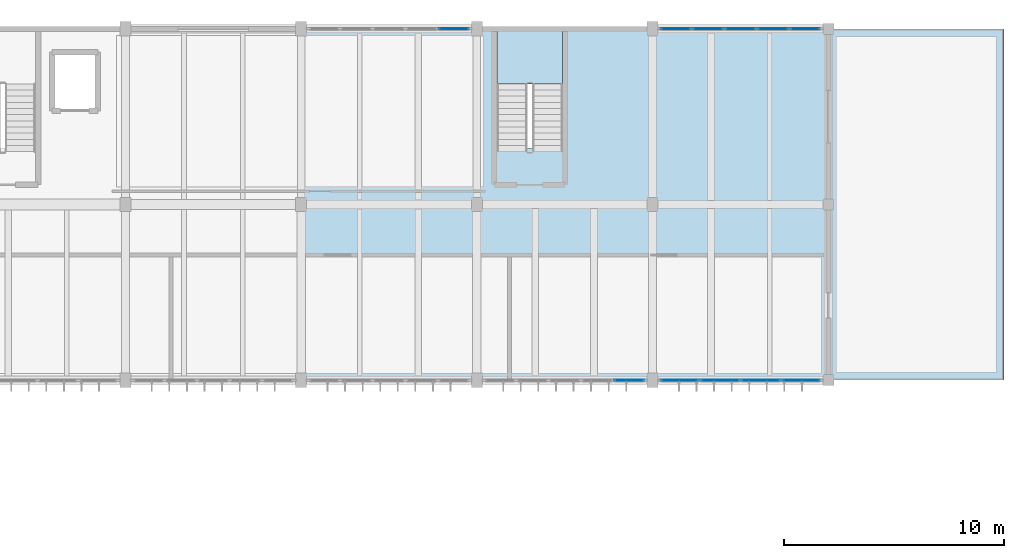
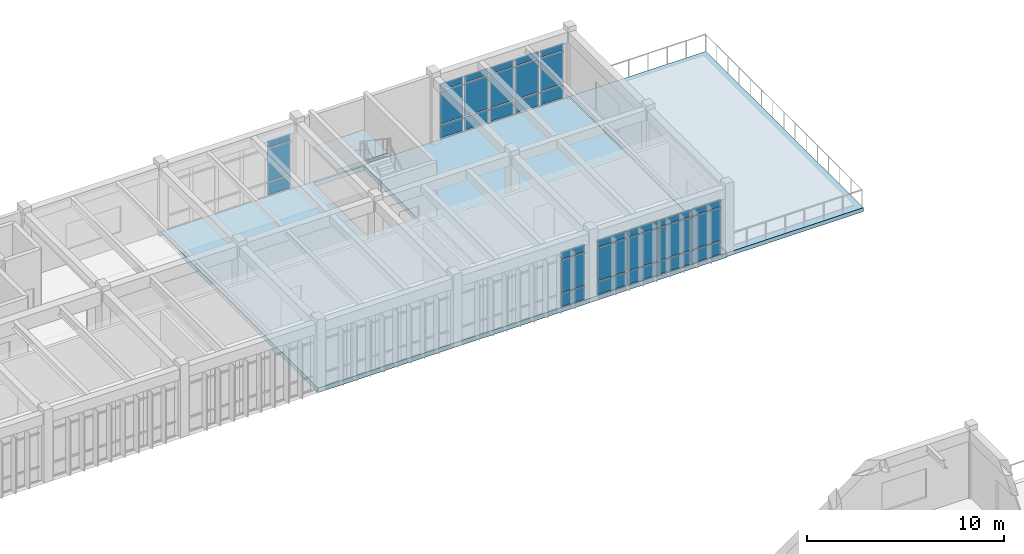
# One storey, part 41 of 72: 33 plates, 3 slabs, 5 elements without a shape of their own.
"""IFC4 building model written with IfcOpenShell, lengths in metres."""

from ifc_helpers import new_model, si_unit, direction, frame, origin, origin_2d, place, context, subcontext, project, spatial, polyline, rectangle, outline, extrude, material, layer, layer_set, type_object, element, aggregate, save


model = new_model("IFC4")

# Units and contexts
model_context = context("Model", 3, precision=1e-05, world=origin(), true_north=direction((0.0, 1.0)))
body_context = subcontext(model_context, "Body", "Model", "MODEL_VIEW")
ifc_project = project(units=[si_unit("LENGTHUNIT", "METRE"), si_unit("AREAUNIT", "SQUARE_METRE"), si_unit("VOLUMEUNIT", "CUBIC_METRE"), si_unit("PLANEANGLEUNIT", "RADIAN"), si_unit("MASSUNIT", "GRAM", prefix="KILO")], contexts=[model_context])

# Site, building, storey
site_placement = place(None, origin())
site = spatial("IfcSite", under=ifc_project, at=site_placement, CompositionType="ELEMENT")
building_placement = place(site_placement, origin())
building = spatial("IfcBuilding", under=site, at=building_placement, Name="Tlaxcora Railside Police Headquarters", CompositionType="ELEMENT")
storey_placement = place(building_placement, frame((0.0, 0.0, 13.5)))
storey = spatial("IfcBuildingStorey", under=building, at=storey_placement, Name="L03", CompositionType="ELEMENT", Elevation=13.5)

# Curtain wall, plates
ifc_material_1 = material(Name="Thermally broken low-E insulated glazing", Category="glass")
curtain_wall_type_1 = type_object("IfcCurtainWallType", Name="Unitised Curtain Wall Assembly CW-23", PredefinedType="NOTDEFINED", material=ifc_material_1)
curtain_wall_1_placement = place(storey_placement, origin())
curtain_wall_1 = element("IfcCurtainWall", 1, at=curtain_wall_1_placement, inside=storey, type_object=curtain_wall_type_1, Name="V6 L03 curtain wall 168", PredefinedType="NOTDEFINED")
ifc_layer_1 = layer(ifc_material_1, 0.0400390625, Name="Thermally broken low-E insulated glazing")
ifc_layer_set_1 = layer_set([ifc_layer_1], Name="Thermally broken low-E insulated glazing")
plate_type_1 = type_object("IfcPlateType", Name="Curtain Wall Infill Panel CW-17", PredefinedType="CURTAIN_PANEL", material=ifc_layer_set_1)
plate_1_placement = place(storey_placement, frame((149.739990234375, 92.800048828125, 0.080078125), z_axis=(0.0, 0.0, 1.0), x_axis=(-1.0, 0.0, 0.0)))
plate_1 = element("IfcPlate", 2, at=plate_1_placement, type_object=plate_type_1, Name="CW panel 1.1", PredefinedType="CURTAIN_PANEL", context=body_context, shape_type="SweptSolid", body=[
    extrude(rectangle(XDim=1.360107421875, YDim=0.0400390625, at=origin_2d()), origin(), (0.0, 0.0, 1.0), 0.780029296875),
])
plate_2_placement = place(storey_placement, frame((149.739990234375, 92.800048828125, 0.93994140625), z_axis=(0.0, 0.0, 1.0), x_axis=(-1.0, 0.0, 0.0)))
plate_2 = element("IfcPlate", 3, at=plate_2_placement, type_object=plate_type_1, Name="CW panel 1.2", PredefinedType="CURTAIN_PANEL", context=body_context, shape_type="SweptSolid", body=[
    extrude(rectangle(XDim=1.360107421875, YDim=0.0400390625, at=origin_2d()), origin(), (0.0, 0.0, 1.0), 2.010009765625),
])
plate_3_placement = place(storey_placement, frame((149.739990234375, 92.800048828125, 3.0302734375), z_axis=(0.0, 0.0, 1.0), x_axis=(-1.0, 0.0, 0.0)))
plate_3 = element("IfcPlate", 4, at=plate_3_placement, type_object=plate_type_1, Name="CW panel 1.3", PredefinedType="CURTAIN_PANEL", context=body_context, shape_type="SweptSolid", body=[
    extrude(rectangle(XDim=1.360107421875, YDim=0.0400390625, at=origin_2d()), origin(), (0.0, 0.0, 1.0), 0.409912109375),
])
plate_4_placement = place(storey_placement, frame((148.280029296875, 92.800048828125, 0.080078125), z_axis=(0.0, 0.0, 1.0), x_axis=(-1.0, 0.0, 0.0)))
plate_4 = element("IfcPlate", 5, at=plate_4_placement, type_object=plate_type_1, Name="CW panel 2.1", PredefinedType="CURTAIN_PANEL", context=body_context, shape_type="SweptSolid", body=[
    extrude(rectangle(XDim=1.39990234375, YDim=0.0400390625, at=origin_2d()), origin(), (0.0, 0.0, 1.0), 0.780029296875),
])
plate_5_placement = place(storey_placement, frame((148.280029296875, 92.800048828125, 0.93994140625), z_axis=(0.0, 0.0, 1.0), x_axis=(-1.0, 0.0, 0.0)))
plate_5 = element("IfcPlate", 6, at=plate_5_placement, type_object=plate_type_1, Name="CW panel 2.2", PredefinedType="CURTAIN_PANEL", context=body_context, shape_type="SweptSolid", body=[
    extrude(rectangle(XDim=1.39990234375, YDim=0.0400390625, at=origin_2d()), origin(), (0.0, 0.0, 1.0), 2.010009765625),
])
plate_6_placement = place(storey_placement, frame((148.280029296875, 92.800048828125, 3.0302734375), z_axis=(0.0, 0.0, 1.0), x_axis=(-1.0, 0.0, 0.0)))
plate_6 = element("IfcPlate", 7, at=plate_6_placement, type_object=plate_type_1, Name="CW panel 2.3", PredefinedType="CURTAIN_PANEL", context=body_context, shape_type="SweptSolid", body=[
    extrude(rectangle(XDim=1.39990234375, YDim=0.0400390625, at=origin_2d()), origin(), (0.0, 0.0, 1.0), 0.409912109375),
])
plate_7_placement = place(storey_placement, frame((146.800048828125, 92.800048828125, 0.080078125), z_axis=(0.0, 0.0, 1.0), x_axis=(-1.0, 0.0, 0.0)))
plate_7 = element("IfcPlate", 8, at=plate_7_placement, type_object=plate_type_1, Name="CW panel 3.1", PredefinedType="CURTAIN_PANEL", context=body_context, shape_type="SweptSolid", body=[
    extrude(rectangle(XDim=1.39990234375, YDim=0.0400390625, at=origin_2d()), origin(), (0.0, 0.0, 1.0), 0.780029296875),
])
plate_8_placement = place(storey_placement, frame((146.800048828125, 92.800048828125, 0.93994140625), z_axis=(0.0, 0.0, 1.0), x_axis=(-1.0, 0.0, 0.0)))
plate_8 = element("IfcPlate", 9, at=plate_8_placement, type_object=plate_type_1, Name="CW panel 3.2", PredefinedType="CURTAIN_PANEL", context=body_context, shape_type="SweptSolid", body=[
    extrude(rectangle(XDim=1.39990234375, YDim=0.0400390625, at=origin_2d()), origin(), (0.0, 0.0, 1.0), 2.010009765625),
])
plate_9_placement = place(storey_placement, frame((146.800048828125, 92.800048828125, 3.0302734375), z_axis=(0.0, 0.0, 1.0), x_axis=(-1.0, 0.0, 0.0)))
plate_9 = element("IfcPlate", 10, at=plate_9_placement, type_object=plate_type_1, Name="CW panel 3.3", PredefinedType="CURTAIN_PANEL", context=body_context, shape_type="SweptSolid", body=[
    extrude(rectangle(XDim=1.39990234375, YDim=0.0400390625, at=origin_2d()), origin(), (0.0, 0.0, 1.0), 0.409912109375),
])
plate_10_placement = place(storey_placement, frame((145.320068359375, 92.800048828125, 0.080078125), z_axis=(0.0, 0.0, 1.0), x_axis=(-1.0, 0.0, 0.0)))
plate_10 = element("IfcPlate", 11, at=plate_10_placement, type_object=plate_type_1, Name="CW panel 4.1", PredefinedType="CURTAIN_PANEL", context=body_context, shape_type="SweptSolid", body=[
    extrude(rectangle(XDim=1.39990234375, YDim=0.0400390625, at=origin_2d()), origin(), (0.0, 0.0, 1.0), 0.780029296875),
])
plate_11_placement = place(storey_placement, frame((145.320068359375, 92.800048828125, 0.93994140625), z_axis=(0.0, 0.0, 1.0), x_axis=(-1.0, 0.0, 0.0)))
plate_11 = element("IfcPlate", 12, at=plate_11_placement, type_object=plate_type_1, Name="CW panel 4.2", PredefinedType="CURTAIN_PANEL", context=body_context, shape_type="SweptSolid", body=[
    extrude(rectangle(XDim=1.39990234375, YDim=0.0400390625, at=origin_2d()), origin(), (0.0, 0.0, 1.0), 2.010009765625),
])
plate_12_placement = place(storey_placement, frame((145.320068359375, 92.800048828125, 3.0302734375), z_axis=(0.0, 0.0, 1.0), x_axis=(-1.0, 0.0, 0.0)))
plate_12 = element("IfcPlate", 13, at=plate_12_placement, type_object=plate_type_1, Name="CW panel 4.3", PredefinedType="CURTAIN_PANEL", context=body_context, shape_type="SweptSolid", body=[
    extrude(rectangle(XDim=1.39990234375, YDim=0.0400390625, at=origin_2d()), origin(), (0.0, 0.0, 1.0), 0.409912109375),
])
plate_13_placement = place(storey_placement, frame((143.860107421875, 92.800048828125, 0.080078125), z_axis=(0.0, 0.0, 1.0), x_axis=(-1.0, 0.0, 0.0)))
plate_13 = element("IfcPlate", 14, at=plate_13_placement, type_object=plate_type_1, Name="CW panel 5.1", PredefinedType="CURTAIN_PANEL", context=body_context, shape_type="SweptSolid", body=[
    extrude(rectangle(XDim=1.360107421875, YDim=0.0400390625, at=origin_2d()), origin(), (0.0, 0.0, 1.0), 0.780029296875),
])
plate_14_placement = place(storey_placement, frame((143.860107421875, 92.800048828125, 0.93994140625), z_axis=(0.0, 0.0, 1.0), x_axis=(-1.0, 0.0, 0.0)))
plate_14 = element("IfcPlate", 15, at=plate_14_placement, type_object=plate_type_1, Name="CW panel 5.2", PredefinedType="CURTAIN_PANEL", context=body_context, shape_type="SweptSolid", body=[
    extrude(rectangle(XDim=1.360107421875, YDim=0.0400390625, at=origin_2d()), origin(), (0.0, 0.0, 1.0), 2.010009765625),
])
plate_15_placement = place(storey_placement, frame((143.860107421875, 92.800048828125, 3.0302734375), z_axis=(0.0, 0.0, 1.0), x_axis=(-1.0, 0.0, 0.0)))
plate_15 = element("IfcPlate", 16, at=plate_15_placement, type_object=plate_type_1, Name="CW panel 5.3", PredefinedType="CURTAIN_PANEL", context=body_context, shape_type="SweptSolid", body=[
    extrude(rectangle(XDim=1.360107421875, YDim=0.0400390625, at=origin_2d()), origin(), (0.0, 0.0, 1.0), 0.409912109375),
])
aggregate(curtain_wall_1, [plate_1, plate_2, plate_3, plate_4, plate_5, plate_6, plate_7, plate_8, plate_9, plate_10, plate_11, plate_12, plate_13, plate_14, plate_15])

curtain_wall_type_2 = type_object("IfcCurtainWallType", Name="Unitised Curtain Wall Assembly CW-15", PredefinedType="NOTDEFINED", material=ifc_material_1)
curtain_wall_2_placement = place(storey_placement, origin())
curtain_wall_2 = element("IfcCurtainWall", 17, at=curtain_wall_2_placement, inside=storey, type_object=curtain_wall_type_2, Name="V6 L03 curtain wall 166", PredefinedType="NOTDEFINED")
ifc_layer_2 = layer(ifc_material_1, 0.031982421875, Name="Thermally broken low-E insulated glazing")
ifc_layer_set_2 = layer_set([ifc_layer_2], Name="Thermally broken low-E insulated glazing")
plate_type_2 = type_object("IfcPlateType", Name="Curtain Wall Infill Panel CW-41", PredefinedType="CURTAIN_PANEL", material=ifc_layer_set_2)
plate_16_placement = place(storey_placement, frame((141.7412109375, 76.800048828125, 0.074951171875), z_axis=(0.0, 0.0, 1.0), x_axis=(1.0, 0.0, 0.0)))
plate_16 = element("IfcPlate", 18, at=plate_16_placement, type_object=plate_type_2, Name="CW panel 5.1", PredefinedType="CURTAIN_PANEL", context=body_context, shape_type="SweptSolid", body=[
    extrude(rectangle(XDim=1.367431640625, YDim=0.031982421875, at=origin_2d()), origin(), (0.0, 0.0, 1.0), 0.78759765625),
])
plate_17_placement = place(storey_placement, frame((141.7412109375, 76.800048828125, 0.9375), z_axis=(0.0, 0.0, 1.0), x_axis=(1.0, 0.0, 0.0)))
plate_17 = element("IfcPlate", 19, at=plate_17_placement, type_object=plate_type_2, Name="CW panel 5.2", PredefinedType="CURTAIN_PANEL", context=body_context, shape_type="SweptSolid", body=[
    extrude(rectangle(XDim=1.367431640625, YDim=0.031982421875, at=origin_2d()), origin(), (0.0, 0.0, 1.0), 2.014892578125),
])
plate_18_placement = place(storey_placement, frame((141.7412109375, 76.800048828125, 3.027587890625), z_axis=(0.0, 0.0, 1.0), x_axis=(1.0, 0.0, 0.0)))
plate_18 = element("IfcPlate", 20, at=plate_18_placement, type_object=plate_type_2, Name="CW panel 5.3", PredefinedType="CURTAIN_PANEL", context=body_context, shape_type="SweptSolid", body=[
    extrude(rectangle(XDim=1.367431640625, YDim=0.031982421875, at=origin_2d()), origin(), (0.0, 0.0, 1.0), 0.41748046875),
])
aggregate(curtain_wall_2, [plate_16, plate_17, plate_18])

curtain_wall_type_3 = type_object("IfcCurtainWallType", Name="Unitised Curtain Wall Assembly CW-83", PredefinedType="NOTDEFINED", material=ifc_material_1)
curtain_wall_3_placement = place(storey_placement, origin())
curtain_wall_3 = element("IfcCurtainWall", 21, at=curtain_wall_3_placement, inside=storey, type_object=curtain_wall_type_3, Name="V6 L03 curtain wall 167", PredefinedType="NOTDEFINED")
ifc_layer_3 = layer(ifc_material_1, 0.035888671875, Name="Thermally broken low-E insulated glazing")
ifc_layer_set_3 = layer_set([ifc_layer_3], Name="Thermally broken low-E insulated glazing")
plate_type_3 = type_object("IfcPlateType", Name="Curtain Wall Infill Panel CW-72", PredefinedType="CURTAIN_PANEL", material=ifc_layer_set_3)
plate_19_placement = place(storey_placement, frame((144.044921875, 76.800048828125, 0.080078125), z_axis=(0.0, 0.0, 1.0), x_axis=(1.0, 0.0, 0.0)))
plate_19 = element("IfcPlate", 22, at=plate_19_placement, type_object=plate_type_3, Name="CW panel 1.1", PredefinedType="CURTAIN_PANEL", context=body_context, shape_type="SweptSolid", body=[
    extrude(rectangle(XDim=1.72998046875, YDim=0.035888671875, at=origin_2d()), origin(), (0.0, 0.0, 1.0), 0.780029296875),
])
plate_20_placement = place(storey_placement, frame((144.044921875, 76.800048828125, 0.93994140625), z_axis=(0.0, 0.0, 1.0), x_axis=(1.0, 0.0, 0.0)))
plate_20 = element("IfcPlate", 23, at=plate_20_placement, type_object=plate_type_3, Name="CW panel 1.2", PredefinedType="CURTAIN_PANEL", context=body_context, shape_type="SweptSolid", body=[
    extrude(rectangle(XDim=1.72998046875, YDim=0.035888671875, at=origin_2d()), origin(), (0.0, 0.0, 1.0), 2.010009765625),
])
plate_21_placement = place(storey_placement, frame((144.044921875, 76.800048828125, 3.0302734375), z_axis=(0.0, 0.0, 1.0), x_axis=(1.0, 0.0, 0.0)))
plate_21 = element("IfcPlate", 24, at=plate_21_placement, type_object=plate_type_3, Name="CW panel 1.3", PredefinedType="CURTAIN_PANEL", context=body_context, shape_type="SweptSolid", body=[
    extrude(rectangle(XDim=1.72998046875, YDim=0.035888671875, at=origin_2d()), origin(), (0.0, 0.0, 1.0), 0.409912109375),
])
plate_22_placement = place(storey_placement, frame((145.875, 76.800048828125, 0.080078125), z_axis=(0.0, 0.0, 1.0), x_axis=(1.0, 0.0, 0.0)))
plate_22 = element("IfcPlate", 25, at=plate_22_placement, type_object=plate_type_3, Name="CW panel 2.1", PredefinedType="CURTAIN_PANEL", context=body_context, shape_type="SweptSolid", body=[
    extrude(rectangle(XDim=1.77001953125, YDim=0.035888671875, at=origin_2d()), origin(), (0.0, 0.0, 1.0), 0.780029296875),
])
plate_23_placement = place(storey_placement, frame((145.875, 76.800048828125, 0.93994140625), z_axis=(0.0, 0.0, 1.0), x_axis=(1.0, 0.0, 0.0)))
plate_23 = element("IfcPlate", 26, at=plate_23_placement, type_object=plate_type_3, Name="CW panel 2.2", PredefinedType="CURTAIN_PANEL", context=body_context, shape_type="SweptSolid", body=[
    extrude(rectangle(XDim=1.77001953125, YDim=0.035888671875, at=origin_2d()), origin(), (0.0, 0.0, 1.0), 2.010009765625),
])
plate_24_placement = place(storey_placement, frame((145.875, 76.800048828125, 3.0302734375), z_axis=(0.0, 0.0, 1.0), x_axis=(1.0, 0.0, 0.0)))
plate_24 = element("IfcPlate", 27, at=plate_24_placement, type_object=plate_type_3, Name="CW panel 2.3", PredefinedType="CURTAIN_PANEL", context=body_context, shape_type="SweptSolid", body=[
    extrude(rectangle(XDim=1.77001953125, YDim=0.035888671875, at=origin_2d()), origin(), (0.0, 0.0, 1.0), 0.409912109375),
])
plate_25_placement = place(storey_placement, frame((147.72509765625, 76.800048828125, 0.080078125), z_axis=(0.0, 0.0, 1.0), x_axis=(1.0, 0.0, 0.0)))
plate_25 = element("IfcPlate", 28, at=plate_25_placement, type_object=plate_type_3, Name="CW panel 3.1", PredefinedType="CURTAIN_PANEL", context=body_context, shape_type="SweptSolid", body=[
    extrude(rectangle(XDim=1.77001953125, YDim=0.035888671875, at=origin_2d()), origin(), (0.0, 0.0, 1.0), 0.780029296875),
])
plate_26_placement = place(storey_placement, frame((147.72509765625, 76.800048828125, 0.93994140625), z_axis=(0.0, 0.0, 1.0), x_axis=(1.0, 0.0, 0.0)))
plate_26 = element("IfcPlate", 29, at=plate_26_placement, type_object=plate_type_3, Name="CW panel 3.2", PredefinedType="CURTAIN_PANEL", context=body_context, shape_type="SweptSolid", body=[
    extrude(rectangle(XDim=1.77001953125, YDim=0.035888671875, at=origin_2d()), origin(), (0.0, 0.0, 1.0), 2.010009765625),
])
plate_27_placement = place(storey_placement, frame((147.72509765625, 76.800048828125, 3.0302734375), z_axis=(0.0, 0.0, 1.0), x_axis=(1.0, 0.0, 0.0)))
plate_27 = element("IfcPlate", 30, at=plate_27_placement, type_object=plate_type_3, Name="CW panel 3.3", PredefinedType="CURTAIN_PANEL", context=body_context, shape_type="SweptSolid", body=[
    extrude(rectangle(XDim=1.77001953125, YDim=0.035888671875, at=origin_2d()), origin(), (0.0, 0.0, 1.0), 0.409912109375),
])
plate_28_placement = place(storey_placement, frame((149.554931640625, 76.800048828125, 0.080078125), z_axis=(0.0, 0.0, 1.0), x_axis=(1.0, 0.0, 0.0)))
plate_28 = element("IfcPlate", 31, at=plate_28_placement, type_object=plate_type_3, Name="CW panel 4.1", PredefinedType="CURTAIN_PANEL", context=body_context, shape_type="SweptSolid", body=[
    extrude(rectangle(XDim=1.72998046875, YDim=0.035888671875, at=origin_2d()), origin(), (0.0, 0.0, 1.0), 0.780029296875),
])
plate_29_placement = place(storey_placement, frame((149.554931640625, 76.800048828125, 0.93994140625), z_axis=(0.0, 0.0, 1.0), x_axis=(1.0, 0.0, 0.0)))
plate_29 = element("IfcPlate", 32, at=plate_29_placement, type_object=plate_type_3, Name="CW panel 4.2", PredefinedType="CURTAIN_PANEL", context=body_context, shape_type="SweptSolid", body=[
    extrude(rectangle(XDim=1.72998046875, YDim=0.035888671875, at=origin_2d()), origin(), (0.0, 0.0, 1.0), 2.010009765625),
])
plate_30_placement = place(storey_placement, frame((149.554931640625, 76.800048828125, 3.0302734375), z_axis=(0.0, 0.0, 1.0), x_axis=(1.0, 0.0, 0.0)))
plate_30 = element("IfcPlate", 33, at=plate_30_placement, type_object=plate_type_3, Name="CW panel 4.3", PredefinedType="CURTAIN_PANEL", context=body_context, shape_type="SweptSolid", body=[
    extrude(rectangle(XDim=1.72998046875, YDim=0.035888671875, at=origin_2d()), origin(), (0.0, 0.0, 1.0), 0.409912109375),
])
aggregate(curtain_wall_3, [plate_19, plate_20, plate_21, plate_22, plate_23, plate_24, plate_25, plate_26, plate_27, plate_28, plate_29, plate_30])

curtain_wall_type_4 = type_object("IfcCurtainWallType", Name="Unitised Curtain Wall Assembly CW-38", PredefinedType="NOTDEFINED", material=ifc_material_1)
curtain_wall_4_placement = place(storey_placement, origin())
curtain_wall_4 = element("IfcCurtainWall", 34, at=curtain_wall_4_placement, inside=storey, type_object=curtain_wall_type_4, Name="V6 L03 curtain wall 169", PredefinedType="NOTDEFINED")
ifc_layer_4 = layer(ifc_material_1, 0.028076171875, Name="Thermally broken low-E insulated glazing")
ifc_layer_set_4 = layer_set([ifc_layer_4], Name="Thermally broken low-E insulated glazing")
plate_type_4 = type_object("IfcPlateType", Name="Curtain Wall Infill Panel CW-92", PredefinedType="CURTAIN_PANEL", material=ifc_layer_set_4)
plate_31_placement = place(storey_placement, frame((133.7412109375, 92.800048828125, 0.074951171875), z_axis=(0.0, 0.0, 1.0), x_axis=(-1.0, 0.0, 0.0)))
plate_31 = element("IfcPlate", 35, at=plate_31_placement, type_object=plate_type_4, Name="CW panel 1.1", PredefinedType="CURTAIN_PANEL", context=body_context, shape_type="SweptSolid", body=[
    extrude(rectangle(XDim=1.367431640625, YDim=0.028076171875, at=origin_2d()), origin(), (0.0, 0.0, 1.0), 0.78759765625),
])
plate_32_placement = place(storey_placement, frame((133.7412109375, 92.800048828125, 0.9375), z_axis=(0.0, 0.0, 1.0), x_axis=(-1.0, 0.0, 0.0)))
plate_32 = element("IfcPlate", 36, at=plate_32_placement, type_object=plate_type_4, Name="CW panel 1.2", PredefinedType="CURTAIN_PANEL", context=body_context, shape_type="SweptSolid", body=[
    extrude(rectangle(XDim=1.367431640625, YDim=0.028076171875, at=origin_2d()), origin(), (0.0, 0.0, 1.0), 2.014892578125),
])
plate_33_placement = place(storey_placement, frame((133.7412109375, 92.800048828125, 3.027587890625), z_axis=(0.0, 0.0, 1.0), x_axis=(-1.0, 0.0, 0.0)))
plate_33 = element("IfcPlate", 37, at=plate_33_placement, type_object=plate_type_4, Name="CW panel 1.3", PredefinedType="CURTAIN_PANEL", context=body_context, shape_type="SweptSolid", body=[
    extrude(rectangle(XDim=1.367431640625, YDim=0.028076171875, at=origin_2d()), origin(), (0.0, 0.0, 1.0), 0.41748046875),
])
aggregate(curtain_wall_4, [plate_31, plate_32, plate_33])

# Stair, slab
ifc_material_2 = material(Name="Concrete C40/50", Category="concrete")
stair_type = type_object("IfcStairType", Name="Half-Turn Dog-Leg Stair ST-58", PredefinedType="HALF_TURN_STAIR", material=ifc_material_2)
stair_placement = place(storey_placement, origin())
stair = element("IfcStair", 38, at=stair_placement, inside=storey, type_object=stair_type, Name="L03 ST8", PredefinedType="HALF_TURN_STAIR")
ifc_material_3 = material(Name="Concrete C35/45", Category="concrete")
ifc_layer_5 = layer(ifc_material_3, 0.199951171875, Name="Concrete C35/45")
ifc_layer_set_5 = layer_set([ifc_layer_5], Name="Concrete C35/45")
slab_type_1 = type_object("IfcSlabType", Name="Stair Landing Slab SL-23", PredefinedType="LANDING", material=ifc_layer_set_5)
slab_1_placement = place(storey_placement, frame((0.0, 0.0, 2.050048828125)))
slab_1 = element("IfcSlab", 39, at=slab_1_placement, type_object=slab_type_1, Name="ST8 landing 1", PredefinedType="LANDING", context=body_context, shape_type="SweptSolid", body=[
    extrude(outline(polyline([(138.7099609375, 90.2900390625), (138.7099609375, 92.68994140625), (135.7099609375, 92.68994140625), (135.7099609375, 90.2900390625), (138.7099609375, 90.2900390625)])), origin(), (0.0, 0.0, 1.0), 0.199951171875),
])
aggregate(stair, [slab_1])

# Slabs
ifc_layer_6 = layer(ifc_material_3, 0.280029296875, Name="Concrete C35/45")
ifc_layer_set_6 = layer_set([ifc_layer_6], Name="Concrete C35/45")
slab_type_2 = type_object("IfcSlabType", Name="Suspended Floor Slab SL-16", PredefinedType="FLOOR", material=ifc_layer_set_6)
slab_2_placement = place(storey_placement, frame((0.0, 0.0, -0.280029296875)))
element("IfcSlab", 40, at=slab_2_placement, inside=storey, type_object=slab_type_2, Name="V6 L03 floor slab zone 2", PredefinedType="FLOOR", context=body_context, shape_type="SweptSolid", body=[
    extrude(outline(polyline([(150.800048828125, 92.800048828125), (126.800048828125, 92.800048828125), (126.800048828125, 76.800048828125), (150.800048828125, 76.800048828125), (150.800048828125, 92.800048828125)]), holes=[polyline([(138.7099609375, 87.35009765625), (135.7099609375, 87.35009765625), (135.7099609375, 92.68994140625), (138.7099609375, 92.68994140625), (138.7099609375, 87.35009765625)])]), origin(), (0.0, 0.0, 1.0), 0.280029296875),
])
ifc_layer_7 = layer(ifc_material_2, 0.2451171875, Name="Concrete C40/50")
ifc_layer_set_7 = layer_set([ifc_layer_7], Name="Concrete C40/50")
slab_type_3 = type_object("IfcSlabType", Name="Suspended Floor Slab SL-67", PredefinedType="FLOOR", material=ifc_layer_set_7)
slab_3_placement = place(storey_placement, frame((0.0, 0.0, -0.2451171875)))
element("IfcSlab", 41, at=slab_3_placement, inside=storey, type_object=slab_type_3, Name="V6 L03 planted terrace slab", PredefinedType="FLOOR", context=body_context, shape_type="SweptSolid", body=[
    extrude(outline(polyline([(158.800048828125, 76.800048828125), (158.800048828125, 92.800048828125), (150.800048828125, 92.800048828125), (150.800048828125, 76.800048828125), (158.800048828125, 76.800048828125)])), origin(), (0.0, 0.0, 1.0), 0.2451171875),
])

save(model, "model.ifc")
